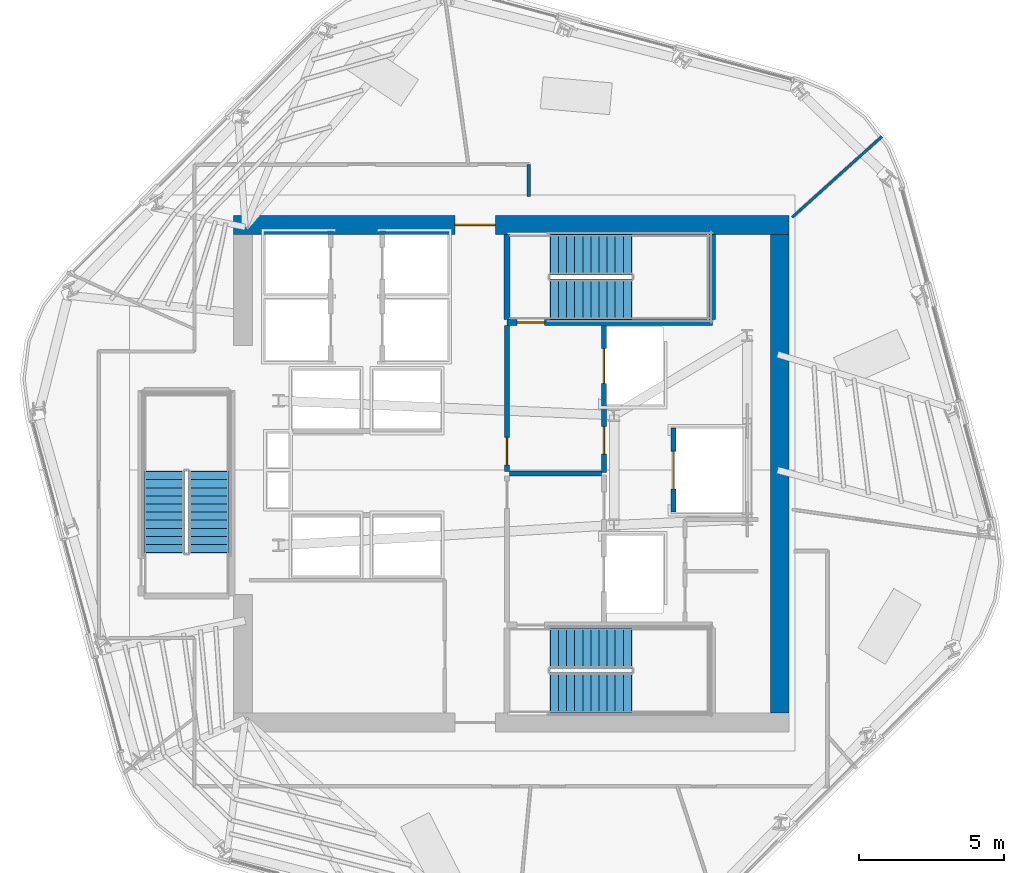
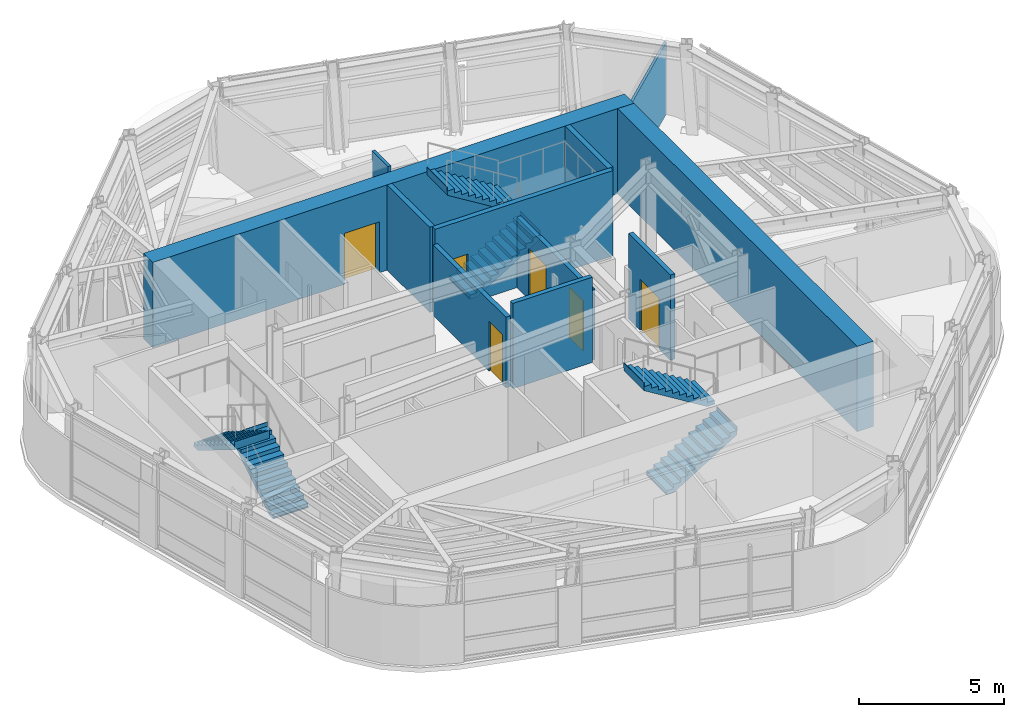
# One storey, part 8 of 13: 11 walls, 6 doors, 6 stair flights, 6 openings, 3 elements without a shape of their own.
"""IFC4 building model written with IfcOpenShell, lengths in metres."""

import ifcopenshell
import ifcopenshell.guid

model = None  # the IFC model being written
_history = None  # IfcOwnerHistory: only IFC2X3 demands one
_inside = {}  # id of a spatial element -> (the spatial element, [elements in it])
_under = {}  # id of a project, library or spatial element -> (it, [spatial elements below it])
_declared = {}  # id of a project -> (the project, [libraries it declares])
_typed = {}  # id of a type object -> (the type object, [elements of that type])
_made_of = {}  # id of a material, layer set ... -> (it, [elements and type objects made of it])


def new_model(schema):
    """Start an empty IFC model of exactly this schema.

    Asked for "IFC4X3", IfcOpenShell would pick the latest addendum, in which some entities
    have other attributes; the version numbers below select the first issue.
    IFC2X3 requires an IfcOwnerHistory on every rooted entity: one is made here for all.
    """
    global model, _history
    if schema == "IFC4X3":
        model = ifcopenshell.file(schema_version=(4, 3, 0, 0))
    else:
        model = ifcopenshell.file(schema=schema)
    _inside.clear()
    _under.clear()
    _declared.clear()
    _typed.clear()
    _made_of.clear()
    _history = None
    if model.schema == "IFC2X3":
        org = make("IfcOrganization", Name="unknown")
        user = make(
            "IfcPersonAndOrganization",
            ThePerson=make("IfcPerson", FamilyName="unknown"),
            TheOrganization=org,
        )
        app = make(
            "IfcApplication",
            ApplicationDeveloper=org,
            Version="unknown",
            ApplicationFullName="unknown",
            ApplicationIdentifier="unknown",
        )
        _history = make(
            "IfcOwnerHistory",
            OwningUser=user,
            OwningApplication=app,
            ChangeAction="ADDED",
            CreationDate=0,
        )
    return model


def make(cls, **values):
    """One entity of the class cls with the attributes given. An attribute that is None is left unset."""
    return model.create_entity(
        cls, **{name: value for name, value in values.items() if value is not None}
    )


def rooted(cls, **values):
    """An entity with a GlobalId (a new one), such as an element, a storey or a relation."""
    return make(cls, GlobalId=ifcopenshell.guid.new(), OwnerHistory=_history, **values)


def si_unit(unit_type, name, prefix=None):
    """IfcSIUnit, for example si_unit("LENGTHUNIT", "METRE", prefix="MILLI")."""
    return make("IfcSIUnit", UnitType=unit_type, Prefix=prefix, Name=name)


def assignment(units):
    """IfcUnitAssignment: the units of a project."""
    return None if units is None else make("IfcUnitAssignment", Units=units)


def point(xyz):
    """IfcCartesianPoint."""
    return None if xyz is None else make("IfcCartesianPoint", Coordinates=xyz)


def direction(xyz):
    """IfcDirection."""
    return None if xyz is None else make("IfcDirection", DirectionRatios=xyz)


def frame(location, z_axis=None, x_axis=None):
    """IfcAxis2Placement3D, a coordinate frame: its origin and axes. An axis left out is left unset."""
    return make(
        "IfcAxis2Placement3D",
        Location=point(location),
        Axis=direction(z_axis),
        RefDirection=direction(x_axis),
    )


def frame_2d(location, x_axis=None):
    """IfcAxis2Placement2D, a coordinate frame in the plane: its origin and x axis."""
    return make(
        "IfcAxis2Placement2D", Location=point(location), RefDirection=direction(x_axis)
    )


def origin():
    """The frame at (0, 0, 0) with its axes left unset."""
    return frame((0.0, 0.0, 0.0))


def place(relative_to, where):
    """IfcLocalPlacement: puts the frame where relative to a parent placement (None: the world)."""
    return make(
        "IfcLocalPlacement", PlacementRelTo=relative_to, RelativePlacement=where
    )


def context(
    kind, dimensions, precision=None, world=None, true_north=None, identifier=None
):
    """IfcGeometricRepresentationContext, for example the 3D "Model" context."""
    return make(
        "IfcGeometricRepresentationContext",
        ContextIdentifier=identifier,
        ContextType=kind,
        CoordinateSpaceDimension=dimensions,
        Precision=precision,
        WorldCoordinateSystem=world,
        TrueNorth=true_north,
    )


def subcontext(parent, identifier, kind, view, scale=None):
    """IfcGeometricRepresentationSubContext, for example "Body" below "Model"."""
    return make(
        "IfcGeometricRepresentationSubContext",
        ContextIdentifier=identifier,
        ContextType=kind,
        ParentContext=parent,
        TargetScale=scale,
        TargetView=view,
    )


def project(units=None, contexts=None):
    """IfcProject with its units and contexts."""
    return rooted(
        "IfcProject",
        Name="project",
        RepresentationContexts=contexts,
        UnitsInContext=assignment(units),
    )


def spatial(cls, under=None, at=None, **own):
    """A site, building, storey or space (cls), placed at a placement, below another one or the project."""
    s = rooted(cls, ObjectPlacement=at, **own)
    if under is not None:
        _under.setdefault(under.id(), (under, []))[1].append(s)
    return s


def polyline(points):
    """IfcPolyline through the points."""
    return make("IfcPolyline", Points=[point(p) for p in points])


def profile(cls, at=None, kind="AREA", **sizes):
    """A parametric profile (cls). Its sizes go by their IFC names, for example OverallWidth=200.0."""
    return make(cls, ProfileType=kind, Position=at, **sizes)


def rectangle(**sizes):
    """IfcRectangleProfileDef."""
    return profile("IfcRectangleProfileDef", **sizes)


def outline(outer, holes=None, kind="AREA"):
    """IfcArbitraryClosedProfileDef: a profile drawn as a closed curve; with holes, ...WithVoids."""
    if holes is None:
        return make("IfcArbitraryClosedProfileDef", ProfileType=kind, OuterCurve=outer)
    return make(
        "IfcArbitraryProfileDefWithVoids",
        ProfileType=kind,
        OuterCurve=outer,
        InnerCurves=holes,
    )


def extrude(swept, where, along, depth):
    """IfcExtrudedAreaSolid: the profile swept, set in the frame where, extruded along a direction by depth."""
    return make(
        "IfcExtrudedAreaSolid",
        SweptArea=swept,
        Position=where,
        ExtrudedDirection=direction(along),
        Depth=depth,
    )


def shape(context_of_items, identifier, shape_type, items):
    """IfcShapeRepresentation: the items that make up one representation, for example the "Body"."""
    return make(
        "IfcShapeRepresentation",
        ContextOfItems=context_of_items,
        RepresentationIdentifier=identifier,
        RepresentationType=shape_type,
        Items=items,
    )


def material(Name=None, Category=None):
    """IfcMaterial."""
    return make("IfcMaterial", Name=Name, Category=Category)


def layer(
    of_material, thickness, ventilated=None, Name=None, Category=None, Priority=None
):
    """IfcMaterialLayer: one layer of a wall or slab, of a material (None: an air gap)."""
    return make(
        "IfcMaterialLayer",
        Material=of_material,
        LayerThickness=thickness,
        IsVentilated=ventilated,
        Name=Name,
        Category=Category,
        Priority=Priority,
    )


def layer_set(layers, Name=None):
    """IfcMaterialLayerSet."""
    return make("IfcMaterialLayerSet", MaterialLayers=layers, LayerSetName=Name)


def made_of(thing, what):
    """Note that an element or type object is made of a material, layer set ...; save() writes the relation."""
    if what is not None:
        _made_of.setdefault(what.id(), (what, []))[1].append(thing)
    return thing


def type_object(cls, material=None, **own):
    """A type object (cls), such as IfcWallType, which elements share."""
    return made_of(rooted(cls, **own), material)


def element(
    cls,
    number,
    at=None,
    inside=None,
    cuts=None,
    type_object=None,
    material=None,
    context=None,
    identifier="Body",
    shape_type=None,
    held_by="IfcProductDefinitionShape",
    body=None,
    shapes=None,
    **own,
):
    """One element of the class cls, such as IfcWall. Its Tag is "e" and its number.

    at: its placement. inside: the storey or other place that contains it. cuts: it is an
    opening in that element (IfcRelVoidsElement). A single representation is given by context,
    identifier, shape_type and body (its items); several are given by shapes. held_by: the class
    of the entity that holds the representations. save() writes the other relations.
    """
    e = rooted(cls, Tag="e%d" % number, ObjectPlacement=at, **own)
    if body is not None:
        shapes = [shape(context, identifier, shape_type, body)]
    if shapes is not None:
        e.Representation = make(held_by, Representations=shapes)
    if inside is not None:
        _inside.setdefault(inside.id(), (inside, []))[1].append(e)
    if cuts is not None:
        rooted(
            "IfcRelVoidsElement", RelatingBuildingElement=cuts, RelatedOpeningElement=e
        )
    if type_object is not None:
        _typed.setdefault(type_object.id(), (type_object, []))[1].append(e)
    return made_of(e, material)


def fill(opening, filler):
    """IfcRelFillsElement: the door or window that sits in an opening."""
    return rooted(
        "IfcRelFillsElement",
        RelatingOpeningElement=opening,
        RelatedBuildingElement=filler,
    )


def aggregate(whole, parts):
    """IfcRelAggregates: a whole, such as a stair, and the parts it consists of."""
    return rooted("IfcRelAggregates", RelatingObject=whole, RelatedObjects=parts)


def save(model, path):
    """Write the relations noted so far, then the file.

    IfcRelAggregates (storeys below a building ...), IfcRelContainedInSpatialStructure (elements
    in a storey), IfcRelDefinesByType, IfcRelAssociatesMaterial and IfcRelDeclares: one each for
    every whole, place, type object, material and project.
    """
    for whole, parts in _under.values():
        aggregate(whole, parts)
    for where, things in _inside.values():
        rooted(
            "IfcRelContainedInSpatialStructure",
            RelatedElements=things,
            RelatingStructure=where,
        )
    for kind, things in _typed.values():
        rooted("IfcRelDefinesByType", RelatedObjects=things, RelatingType=kind)
    for what, things in _made_of.values():
        rooted("IfcRelAssociatesMaterial", RelatedObjects=things, RelatingMaterial=what)
    for by, libraries in _declared.values():
        rooted("IfcRelDeclares", RelatingContext=by, RelatedDefinitions=libraries)
    model.write(path)


model = new_model("IFC4")

# Units and contexts
model_context = context("Model", 3, precision=1e-05, world=origin(), true_north=direction((0.0, 1.0)))
body_context = subcontext(model_context, "Body", "Model", "MODEL_VIEW")
ifc_project = project(units=[si_unit("LENGTHUNIT", "METRE"), si_unit("AREAUNIT", "SQUARE_METRE"), si_unit("VOLUMEUNIT", "CUBIC_METRE"), si_unit("PLANEANGLEUNIT", "RADIAN"), si_unit("MASSUNIT", "GRAM", prefix="KILO")], contexts=[model_context])

# Site, building, storey
site_placement = place(None, origin())
site = spatial("IfcSite", under=ifc_project, at=site_placement, CompositionType="ELEMENT")
building_placement = place(site_placement, origin())
building = spatial("IfcBuilding", under=site, at=building_placement, Name="Valkerne Bourse Tower", CompositionType="ELEMENT")
storey_placement = place(building_placement, frame((0.0, 0.0, 217.0)))
storey = spatial("IfcBuildingStorey", under=building, at=storey_placement, Name="L55", CompositionType="ELEMENT", Elevation=217.0)

# Wall, opening, door
ifc_material_1 = material(Name="Concrete C55/67", Category="concrete")
ifc_layer_1 = layer(ifc_material_1, 0.64990234375)
ifc_layer_set_1 = layer_set([ifc_layer_1], Name="Concrete C55/67")
wall_type_1 = type_object("IfcWallType", Name="W-CORE-650", PredefinedType="SHEAR", material=ifc_layer_set_1)
wall_1_placement = place(storey_placement, frame((37.199951171875, 35.47509765625, 0.0), z_axis=(0.0, 0.0, 1.0), x_axis=(1.0, 0.0, 0.0)))
wall_1 = element("IfcWall", 1, at=wall_1_placement, inside=storey, type_object=wall_type_1, Name="L55 Core Shear Wall NORTH", PredefinedType="SHEAR", context=body_context, shape_type="SweptSolid", body=[
    extrude(rectangle(XDim=19.199951171875, YDim=0.64990234375, at=frame_2d((9.60009765625, 0.0))), origin(), (0.0, 0.0, 1.0), 3.60009765625),
])
opening_1_placement = place(wall_1_placement, frame((7.64990234375, 0.0, 0.0)))
opening_1 = element("IfcOpeningElement", 2, at=opening_1_placement, cuts=wall_1, Name="Opening D-PL-1400", PredefinedType="OPENING", context=body_context, shape_type="SweptSolid", body=[
    extrude(rectangle(XDim=1.39990234375, YDim=2.14990234375, at=frame_2d((0.699951171875, 1.074951171875))), frame((0.0, 0.3349609375, 0.0), z_axis=(0.0, -1.0, 0.0), x_axis=(1.0, 0.0, 0.0)), (0.0, 0.0, 1.0), 0.669921875),
])
ifc_material_2 = material(Name="Galvanised Painted Steel", Category="steel")
door_type_1 = type_object("IfcDoorType", Name="DR-PLT-1400", OperationType="DOUBLE_DOOR_SINGLE_SWING", PredefinedType="DOOR", material=ifc_material_2)
door_1_placement = place(opening_1_placement, origin())
door_1 = element("IfcDoor", 3, at=door_1_placement, inside=storey, type_object=door_type_1, Name="L55 North Passenger Lift Hall Fire Door", OperationType="DOUBLE_DOOR_SINGLE_SWING", OverallHeight=2.14990234375, OverallWidth=1.39990234375, PredefinedType="DOOR", context=body_context, shape_type="SweptSolid", body=[
    extrude(rectangle(XDim=1.39990234375, YDim=2.14990234375, at=frame_2d((0.699951171875, 1.074951171875))), frame((0.0, 0.02490234375, 0.0), z_axis=(0.0, -1.0, 0.0), x_axis=(1.0, 0.0, 0.0)), (0.0, 0.0, 1.0), 0.050048828125),
])
fill(opening_1, door_1)

# Walls
wall_2_placement = place(storey_placement, frame((56.074951171875, 18.60009765625, 0.0), z_axis=(0.0, 0.0, 1.0), x_axis=(0.0, 1.0, 0.0)))
element("IfcWall", 4, at=wall_2_placement, inside=storey, type_object=wall_type_1, Name="L55 Core Shear Wall EAST", PredefinedType="SHEAR", context=body_context, shape_type="SweptSolid", body=[
    extrude(rectangle(XDim=16.5498046875, YDim=0.64990234375, at=frame_2d((8.27490234375, 0.0))), origin(), (0.0, 0.0, 1.0), 3.60009765625),
])
ifc_material_3 = material(Name="Gypsum Board Steel-Stud Partition", Category="steel")
ifc_layer_2 = layer(ifc_material_3, 0.117919921875)
ifc_layer_set_2 = layer_set([ifc_layer_2], Name="Gypsum Board Steel-Stud Partition")
wall_type_2 = type_object("IfcWallType", Name="W-CORR-140", PredefinedType="PARTITIONING", material=ifc_layer_set_2)
wall_3_placement = place(storey_placement, frame((47.39990234375, 37.56005859375, 0.0), z_axis=(0.0, 0.0, 1.0), x_axis=(0.0, -1.0, 0.0)))
element("IfcWall", 5, at=wall_3_placement, inside=storey, type_object=wall_type_2, Name="L55 Corridor Enclosure Wall", PredefinedType="PARTITIONING", context=body_context, shape_type="SweptSolid", body=[
    extrude(rectangle(XDim=1.10009765625, YDim=0.117919921875, at=frame_2d((0.550048828125, 0.0))), origin(), (0.0, 0.0, 1.0), 3.300048828125),
])
ifc_material_4 = material(Name="Gypsum Fire-Rated Shaftwall", Category="gypsum")
ifc_layer_3 = layer(ifc_material_4, 0.179931640625)
ifc_layer_set_3 = layer_set([ifc_layer_3], Name="Gypsum Fire-Rated Shaftwall")
wall_type_3 = type_object("IfcWallType", Name="W-FSAE-180", PredefinedType="PARTITIONING", material=ifc_layer_set_3)
wall_4_placement = place(storey_placement, frame((46.739990234375, 26.8798828125, 0.0), z_axis=(0.0, 0.0, 1.0), x_axis=(1.0, 0.0, 0.0)))
element("IfcWall", 6, at=wall_4_placement, inside=storey, type_object=wall_type_3, Name="L55 FSAE-1/2 Lobby Dividing Fire Wall", PredefinedType="PARTITIONING", context=body_context, shape_type="SweptSolid", body=[
    extrude(rectangle(XDim=3.169921875, YDim=0.179931640625, at=frame_2d((1.5849609375, 0.0))), origin(), (0.0, 0.0, 1.0), 3.60009765625),
])

# Wall, opening, door
wall_5_placement = place(storey_placement, frame((46.64990234375, 26.9599609375, 0.0), z_axis=(0.0, 0.0, 1.0), x_axis=(0.0, 1.0, 0.0)))
wall_5 = element("IfcWall", 7, at=wall_5_placement, inside=storey, type_object=wall_type_3, Name="L55 FSAE-2 Lobby West Fire Wall", PredefinedType="PARTITIONING", context=body_context, shape_type="SweptSolid", body=[
    extrude(rectangle(XDim=5.0400390625, YDim=0.179931640625, at=frame_2d((2.52001953125, 0.0))), origin(), (0.0, 0.0, 1.0), 2.977783203125),
])
opening_2_placement = place(wall_5_placement, frame((0.219970703125, 0.0, 0.0)))
opening_2 = element("IfcOpeningElement", 8, at=opening_2_placement, cuts=wall_5, Name="Opening D-FS-950", PredefinedType="OPENING", context=body_context, shape_type="SweptSolid", body=[
    extrude(rectangle(XDim=0.949951171875, YDim=2.10009765625, at=frame_2d((0.47509765625, 1.050048828125))), frame((0.0, 0.099853515625, 0.0), z_axis=(0.0, -1.0, 0.0), x_axis=(1.0, 0.0, 0.0)), (0.0, 0.0, 1.0), 0.199951171875),
])
door_type_2 = type_object("IfcDoorType", Name="DR-FSAE-950", OperationType="NOTDEFINED", PredefinedType="DOOR", material=ifc_material_2)
door_2_placement = place(opening_2_placement, origin())
door_2 = element("IfcDoor", 9, at=door_2_placement, inside=storey, type_object=door_type_2, Name="L55 FSAE-2 Hall Link Fire Door", OperationType="SINGLE_SWING_RIGHT", OverallHeight=2.10009765625, OverallWidth=0.949951171875, PredefinedType="DOOR", context=body_context, shape_type="SweptSolid", body=[
    extrude(rectangle(XDim=0.949951171875, YDim=2.10009765625, at=frame_2d((0.47509765625, 1.050048828125))), frame((0.0, 0.02490234375, 0.0), z_axis=(0.0, -1.0, 0.0), x_axis=(1.0, 0.0, 0.0)), (0.0, 0.0, 1.0), 0.050048828125),
])
fill(opening_2, door_2)

# Wall, openings, doors
wall_6_placement = place(storey_placement, frame((50.0, 26.919921875, 0.0), z_axis=(0.0, 0.0, 1.0), x_axis=(0.0, 1.0, 0.0)))
wall_6 = element("IfcWall", 10, at=wall_6_placement, inside=storey, type_object=wall_type_3, Name="L55 FSAE-2 Lobby & Shaft Front Wall", PredefinedType="PARTITIONING", context=body_context, shape_type="SweptSolid", body=[
    extrude(rectangle(XDim=5.080078125, YDim=0.179931640625, at=frame_2d((2.5400390625, 0.0))), origin(), (0.0, 0.0, 1.0), 2.977783203125),
])
opening_3_placement = place(wall_6_placement, frame((3.080078125, 0.0, 0.0)))
opening_3 = element("IfcOpeningElement", 11, at=opening_3_placement, cuts=wall_6, Name="Opening LD-1200", PredefinedType="OPENING", context=body_context, shape_type="SweptSolid", body=[
    extrude(rectangle(XDim=1.199951171875, YDim=2.14990234375, at=frame_2d((0.60009765625, 1.074951171875))), frame((0.0, 0.099853515625, 0.0), z_axis=(0.0, -1.0, 0.0), x_axis=(1.0, 0.0, 0.0)), (0.0, 0.0, 1.0), 0.199951171875),
])
opening_4_placement = place(wall_6_placement, frame((0.6298828125, 0.0, 0.0)))
opening_4 = element("IfcOpeningElement", 12, at=opening_4_placement, cuts=wall_6, Name="Opening D-FS-950", PredefinedType="OPENING", context=body_context, shape_type="SweptSolid", body=[
    extrude(rectangle(XDim=0.949951171875, YDim=2.10009765625, at=frame_2d((0.47509765625, 1.050048828125))), frame((0.0, 0.099853515625, 0.0), z_axis=(0.0, -1.0, 0.0), x_axis=(1.0, 0.0, 0.0)), (0.0, 0.0, 1.0), 0.199951171875),
])
door_3_placement = place(opening_4_placement, origin())
door_3 = element("IfcDoor", 13, at=door_3_placement, inside=storey, type_object=door_type_2, Name="L55 FSAE-2 Lobby Corridor Fire Door", OperationType="SINGLE_SWING_RIGHT", OverallHeight=2.10009765625, OverallWidth=0.949951171875, PredefinedType="DOOR", context=body_context, shape_type="SweptSolid", body=[
    extrude(rectangle(XDim=0.949951171875, YDim=2.10009765625, at=frame_2d((0.47509765625, 1.050048828125))), frame((0.0, 0.02490234375, 0.0), z_axis=(0.0, -1.0, 0.0), x_axis=(1.0, 0.0, 0.0)), (0.0, 0.0, 1.0), 0.050048828125),
])
fill(opening_4, door_3)
ifc_material_5 = material(Name="Stainless Steel AISI 316", Category="steel")
door_type_3 = type_object("IfcDoorType", Name="DR-LIFT-1200", OperationType="DOUBLE_DOOR_SLIDING", PredefinedType="DOOR", material=ifc_material_5)
door_4_placement = place(opening_3_placement, origin())
door_4 = element("IfcDoor", 14, at=door_4_placement, inside=storey, type_object=door_type_3, Name="L55 FSAE-2 Firefighting Lift Landing Door", OperationType="DOUBLE_DOOR_SLIDING", OverallHeight=2.14990234375, OverallWidth=1.199951171875, PredefinedType="DOOR", context=body_context, shape_type="SweptSolid", body=[
    extrude(rectangle(XDim=1.199951171875, YDim=2.14990234375, at=frame_2d((0.60009765625, 1.074951171875))), frame((0.0, 0.02490234375, 0.0), z_axis=(0.0, -1.0, 0.0), x_axis=(1.0, 0.0, 0.0)), (0.0, 0.0, 1.0), 0.050048828125),
])
fill(opening_3, door_4)

# Wall, opening, door
ifc_material_6 = material(Name="CMU Blockwork Masonry 200mm", Category="masonry")
ifc_layer_4 = layer(ifc_material_6, 0.179931640625)
ifc_layer_set_4 = layer_set([ifc_layer_4], Name="CMU Blockwork Masonry 200mm")
wall_type_4 = type_object("IfcWallType", Name="W-LFT-180", PredefinedType="SOLIDWALL", material=ifc_layer_set_4)
wall_7_placement = place(storey_placement, frame((52.39990234375, 25.550048828125, 0.0), z_axis=(0.0, 0.0, 1.0), x_axis=(0.0, 1.0, 0.0)))
wall_7 = element("IfcWall", 15, at=wall_7_placement, inside=storey, type_object=wall_type_4, Name="L55 Service Lift SV-1 Front Wall", PredefinedType="SOLIDWALL", context=body_context, shape_type="SweptSolid", body=[
    extrude(rectangle(XDim=2.89990234375, YDim=0.179931640625, at=frame_2d((1.449951171875, 0.0))), origin(), (0.0, 0.0, 1.0), 3.60009765625),
])
opening_5_placement = place(wall_7_placement, frame((0.800048828125, 0.0, 0.0)))
opening_5 = element("IfcOpeningElement", 16, at=opening_5_placement, cuts=wall_7, Name="Opening LD-1300", PredefinedType="OPENING", context=body_context, shape_type="SweptSolid", body=[
    extrude(rectangle(XDim=1.300048828125, YDim=2.14990234375, at=frame_2d((0.64990234375, 1.074951171875))), frame((0.0, 0.099853515625, 0.0), z_axis=(0.0, -1.0, 0.0), x_axis=(1.0, 0.0, 0.0)), (0.0, 0.0, 1.0), 0.199951171875),
])
door_type_4 = type_object("IfcDoorType", Name="DR-LIFT-1300", OperationType="DOUBLE_DOOR_SLIDING", PredefinedType="DOOR", material=ifc_material_5)
door_5_placement = place(opening_5_placement, origin())
door_5 = element("IfcDoor", 17, at=door_5_placement, inside=storey, type_object=door_type_4, Name="L55 Service Lift SV-1 Landing Door", OperationType="DOUBLE_DOOR_SLIDING", OverallHeight=2.14990234375, OverallWidth=1.300048828125, PredefinedType="DOOR", context=body_context, shape_type="SweptSolid", body=[
    extrude(rectangle(XDim=1.300048828125, YDim=2.14990234375, at=frame_2d((0.64990234375, 1.074951171875))), frame((0.0, 0.02490234375, 0.0), z_axis=(0.0, -1.0, 0.0), x_axis=(1.0, 0.0, 0.0)), (0.0, 0.0, 1.0), 0.050048828125),
])
fill(opening_5, door_5)

# Wall
ifc_layer_5 = layer(ifc_material_3, 0.092041015625)
ifc_layer_set_5 = layer_set([ifc_layer_5], Name="Gypsum Board Steel-Stud Partition")
wall_type_5 = type_object("IfcWallType", Name="W-PART-115", PredefinedType="PARTITIONING", material=ifc_layer_set_5)
wall_8_placement = place(storey_placement, frame((56.5, 35.73388671875, 0.0), z_axis=(0.0, 0.0, 1.0), x_axis=(0.743134287942, 0.669142309292, 0.0)))
element("IfcWall", 18, at=wall_8_placement, inside=storey, type_object=wall_type_5, Name="L55 Suite Partition P05", PredefinedType="PARTITIONING", context=body_context, shape_type="SweptSolid", body=[
    extrude(rectangle(XDim=4.17724609375, YDim=0.092041015625, at=frame_2d((2.088623046875, 0.0))), origin(), (0.0, 0.0, 1.0), 3.036376953125),
])

# Wall, opening, door
ifc_material_7 = material(Name="Concrete C40/50", Category="concrete")
ifc_layer_6 = layer(ifc_material_7, 0.199951171875)
ifc_layer_set_6 = layer_set([ifc_layer_6], Name="Concrete C40/50")
wall_type_6 = type_object("IfcWallType", Name="W-SHF-200", PredefinedType="SHEAR", material=ifc_layer_set_6)
wall_9_placement = place(storey_placement, frame((46.64990234375, 32.10009765625, 0.0), z_axis=(0.0, 0.0, 1.0), x_axis=(1.0, 0.0, 0.0)))
wall_9 = element("IfcWall", 19, at=wall_9_placement, inside=storey, type_object=wall_type_6, Name="L55 Exit Stair ST-2 Structural Shaft Wall South", PredefinedType="SHEAR", context=body_context, shape_type="SweptSolid", body=[
    extrude(rectangle(XDim=7.10009765625, YDim=0.199951171875, at=frame_2d((3.550048828125, 0.0))), origin(), (0.0, 0.0, 1.0), 3.60009765625),
])
opening_6_placement = place(wall_9_placement, frame((0.35009765625, 0.0, 0.0)))
opening_6 = element("IfcOpeningElement", 20, at=opening_6_placement, cuts=wall_9, Name="Opening D-ST-950", PredefinedType="OPENING", context=body_context, shape_type="SweptSolid", body=[
    extrude(rectangle(XDim=0.949951171875, YDim=2.10009765625, at=frame_2d((0.47509765625, 1.050048828125))), frame((0.0, 0.10986328125, 0.0), z_axis=(0.0, -1.0, 0.0), x_axis=(1.0, 0.0, 0.0)), (0.0, 0.0, 1.0), 0.219970703125),
])
door_type_5 = type_object("IfcDoorType", Name="DR-STAIR-950", OperationType="NOTDEFINED", PredefinedType="DOOR", material=ifc_material_2)
door_6_placement = place(opening_6_placement, origin())
door_6 = element("IfcDoor", 21, at=door_6_placement, inside=storey, type_object=door_type_5, Name="L55 Exit Stair ST-2 Door", OperationType="SINGLE_SWING_LEFT", OverallHeight=2.10009765625, OverallWidth=0.949951171875, PredefinedType="DOOR", context=body_context, shape_type="SweptSolid", body=[
    extrude(rectangle(XDim=0.949951171875, YDim=2.10009765625, at=frame_2d((0.47509765625, 1.050048828125))), frame((0.0, 0.02490234375, 0.0), z_axis=(0.0, -1.0, 0.0), x_axis=(1.0, 0.0, 0.0)), (0.0, 0.0, 1.0), 0.050048828125),
])
fill(opening_6, door_6)

# Walls
for number, where, z_axis, x_axis, name in (
    (22, (46.64990234375, 32.199951171875, 0.0), (0.0, 0.0, 1.0), (0.0, 1.0, 0.0), "L55 Exit Stair ST-2 Structural Shaft Wall West"),
    (23, (53.75, 32.199951171875, 0.0), (0.0, 0.0, 1.0), (0.0, 1.0, 0.0), "L55 Exit Stair ST-2 Structural Shaft Wall East"),
):
    element("IfcWall", number, at=place(storey_placement, frame(where, z_axis=z_axis, x_axis=x_axis)), inside=storey, type_object=wall_type_6, Name=name, PredefinedType="SHEAR", context=body_context, shape_type="SweptSolid", body=[
        extrude(rectangle(XDim=2.949951171875, YDim=0.199951171875, at=frame_2d((1.47509765625, 0.0))), origin(), (0.0, 0.0, 1.0), 3.60009765625),
    ])

# Stair, stair flights
stair_type = type_object("IfcStairType", Name="ST-CORE-1400", PredefinedType="HALF_TURN_STAIR", material=ifc_material_7)
stair_1_placement = place(storey_placement, origin())
stair_1 = element("IfcStair", 24, at=stair_1_placement, inside=storey, type_object=stair_type, Name="L55 ST-1", PredefinedType="HALF_TURN_STAIR")
stair_flight_type = type_object("IfcStairFlightType", Name="STF-CORE-1400", PredefinedType="STRAIGHT", material=ifc_material_7)
stair_flight_1_placement = place(storey_placement, frame((48.14990234375, 19.300048828125, 0.0), z_axis=(0.0, 0.0, 1.0), x_axis=(1.0, 0.0, 0.0)))
stair_flight_1 = element("IfcStairFlight", 25, at=stair_flight_1_placement, type_object=stair_flight_type, Name="ST-1 flight 1", NumberOfRisers=11, NumberOfTreads=10, PredefinedType="STRAIGHT", RiserHeight=0.172727273, TreadLength=0.28, context=body_context, shape_type="SweptSolid", body=[
    extrude(outline(polyline([(-0.02001953125, 0.0), (-0.02001953125, 0.044921875), (0.0, 0.044921875), (0.0, 0.172607421875), (0.280029296875, 0.172607421875), (0.280029296875, 0.345458984375), (0.56005859375, 0.345458984375), (0.56005859375, 0.51806640625), (0.840087890625, 0.51806640625), (0.840087890625, 0.69091796875), (1.1201171875, 0.69091796875), (1.1201171875, 0.863525390625), (1.39990234375, 0.863525390625), (1.39990234375, 1.036376953125), (1.679931640625, 1.036376953125), (1.679931640625, 1.208984375), (1.9599609375, 1.208984375), (1.9599609375, 1.3818359375), (2.239990234375, 1.3818359375), (2.239990234375, 1.554443359375), (2.52001953125, 1.554443359375), (2.52001953125, 1.727294921875), (2.800048828125, 1.727294921875), (2.800048828125, 1.89990234375), (2.820068359375, 1.89990234375), (2.820068359375, 1.780029296875), (2.800048828125, 1.551025390625), (0.285400390625, 0.0), (-0.02001953125, 0.0)])), frame((0.0, 0.699951171875, 0.0), z_axis=(0.0, -1.0, 0.0), x_axis=(1.0, 0.0, 0.0)), (0.0, 0.0, 1.0), 1.39990234375),
])
stair_flight_2_placement = place(storey_placement, frame((50.949951171875, 20.85009765625, 1.89990234375), z_axis=(0.0, 0.0, 1.0), x_axis=(-1.0, 0.0, 0.0)))
stair_flight_2 = element("IfcStairFlight", 26, at=stair_flight_2_placement, type_object=stair_flight_type, Name="ST-1 flight 2", NumberOfRisers=11, NumberOfTreads=10, PredefinedType="STRAIGHT", RiserHeight=0.172727273, TreadLength=0.28, context=body_context, shape_type="SweptSolid", body=[
    extrude(outline(polyline([(-0.02001953125, 0.0), (-0.02001953125, 0.044921875), (0.0, 0.044921875), (0.0, 0.172607421875), (0.280029296875, 0.172607421875), (0.280029296875, 0.345458984375), (0.56005859375, 0.345458984375), (0.56005859375, 0.51806640625), (0.840087890625, 0.51806640625), (0.840087890625, 0.69091796875), (1.1201171875, 0.69091796875), (1.1201171875, 0.863525390625), (1.39990234375, 0.863525390625), (1.39990234375, 1.036376953125), (1.679931640625, 1.036376953125), (1.679931640625, 1.208984375), (1.9599609375, 1.208984375), (1.9599609375, 1.3818359375), (2.239990234375, 1.3818359375), (2.239990234375, 1.554443359375), (2.52001953125, 1.554443359375), (2.52001953125, 1.727294921875), (2.800048828125, 1.727294921875), (2.800048828125, 1.89990234375), (2.820068359375, 1.89990234375), (2.820068359375, 1.780029296875), (2.800048828125, 1.551025390625), (0.285400390625, 0.0), (-0.02001953125, 0.0)])), frame((0.0, 0.699951171875, 0.0), z_axis=(0.0, -1.0, 0.0), x_axis=(1.0, 0.0, 0.0)), (0.0, 0.0, 1.0), 1.39990234375),
])
aggregate(stair_1, [stair_flight_1, stair_flight_2])

stair_2_placement = place(storey_placement, origin())
stair_2 = element("IfcStair", 27, at=stair_2_placement, inside=storey, type_object=stair_type, Name="L55 ST-2", PredefinedType="HALF_TURN_STAIR")
stair_flight_3_placement = place(storey_placement, frame((48.14990234375, 32.89990234375, 0.0), z_axis=(0.0, 0.0, 1.0), x_axis=(1.0, 0.0, 0.0)))
stair_flight_3 = element("IfcStairFlight", 28, at=stair_flight_3_placement, type_object=stair_flight_type, Name="ST-2 flight 1", NumberOfRisers=11, NumberOfTreads=10, PredefinedType="STRAIGHT", RiserHeight=0.172727273, TreadLength=0.28, context=body_context, shape_type="SweptSolid", body=[
    extrude(outline(polyline([(-0.02001953125, 0.0), (-0.02001953125, 0.044921875), (0.0, 0.044921875), (0.0, 0.172607421875), (0.280029296875, 0.172607421875), (0.280029296875, 0.345458984375), (0.56005859375, 0.345458984375), (0.56005859375, 0.51806640625), (0.840087890625, 0.51806640625), (0.840087890625, 0.69091796875), (1.1201171875, 0.69091796875), (1.1201171875, 0.863525390625), (1.39990234375, 0.863525390625), (1.39990234375, 1.036376953125), (1.679931640625, 1.036376953125), (1.679931640625, 1.208984375), (1.9599609375, 1.208984375), (1.9599609375, 1.3818359375), (2.239990234375, 1.3818359375), (2.239990234375, 1.554443359375), (2.52001953125, 1.554443359375), (2.52001953125, 1.727294921875), (2.800048828125, 1.727294921875), (2.800048828125, 1.89990234375), (2.820068359375, 1.89990234375), (2.820068359375, 1.780029296875), (2.800048828125, 1.551025390625), (0.285400390625, 0.0), (-0.02001953125, 0.0)])), frame((0.0, 0.699951171875, 0.0), z_axis=(0.0, -1.0, 0.0), x_axis=(1.0, 0.0, 0.0)), (0.0, 0.0, 1.0), 1.39990234375),
])
stair_flight_4_placement = place(storey_placement, frame((50.949951171875, 34.449951171875, 1.89990234375), z_axis=(0.0, 0.0, 1.0), x_axis=(-1.0, 0.0, 0.0)))
stair_flight_4 = element("IfcStairFlight", 29, at=stair_flight_4_placement, type_object=stair_flight_type, Name="ST-2 flight 2", NumberOfRisers=11, NumberOfTreads=10, PredefinedType="STRAIGHT", RiserHeight=0.172727273, TreadLength=0.28, context=body_context, shape_type="SweptSolid", body=[
    extrude(outline(polyline([(-0.02001953125, 0.0), (-0.02001953125, 0.044921875), (0.0, 0.044921875), (0.0, 0.172607421875), (0.280029296875, 0.172607421875), (0.280029296875, 0.345458984375), (0.56005859375, 0.345458984375), (0.56005859375, 0.51806640625), (0.840087890625, 0.51806640625), (0.840087890625, 0.69091796875), (1.1201171875, 0.69091796875), (1.1201171875, 0.863525390625), (1.39990234375, 0.863525390625), (1.39990234375, 1.036376953125), (1.679931640625, 1.036376953125), (1.679931640625, 1.208984375), (1.9599609375, 1.208984375), (1.9599609375, 1.3818359375), (2.239990234375, 1.3818359375), (2.239990234375, 1.554443359375), (2.52001953125, 1.554443359375), (2.52001953125, 1.727294921875), (2.800048828125, 1.727294921875), (2.800048828125, 1.89990234375), (2.820068359375, 1.89990234375), (2.820068359375, 1.780029296875), (2.800048828125, 1.551025390625), (0.285400390625, 0.0), (-0.02001953125, 0.0)])), frame((0.0, 0.699951171875, 0.0), z_axis=(0.0, -1.0, 0.0), x_axis=(1.0, 0.0, 0.0)), (0.0, 0.0, 1.0), 1.39990234375),
])
aggregate(stair_2, [stair_flight_3, stair_flight_4])

stair_3_placement = place(storey_placement, origin())
stair_3 = element("IfcStair", 30, at=stair_3_placement, inside=storey, type_object=stair_type, Name="L55 ST-3", PredefinedType="HALF_TURN_STAIR")
stair_flight_5_placement = place(storey_placement, frame((36.35009765625, 24.14990234375, 0.0), z_axis=(0.0, 0.0, 1.0), x_axis=(0.0, 1.0, 0.0)))
stair_flight_5 = element("IfcStairFlight", 31, at=stair_flight_5_placement, type_object=stair_flight_type, Name="ST-3 flight 1", NumberOfRisers=11, NumberOfTreads=10, PredefinedType="STRAIGHT", RiserHeight=0.172727273, TreadLength=0.28, context=body_context, shape_type="SweptSolid", body=[
    extrude(outline(polyline([(-0.02001953125, 0.0), (-0.02001953125, 0.044921875), (0.0, 0.044921875), (0.0, 0.172607421875), (0.280029296875, 0.172607421875), (0.280029296875, 0.345458984375), (0.56005859375, 0.345458984375), (0.56005859375, 0.51806640625), (0.840087890625, 0.51806640625), (0.840087890625, 0.69091796875), (1.1201171875, 0.69091796875), (1.1201171875, 0.863525390625), (1.39990234375, 0.863525390625), (1.39990234375, 1.036376953125), (1.679931640625, 1.036376953125), (1.679931640625, 1.208984375), (1.9599609375, 1.208984375), (1.9599609375, 1.3818359375), (2.239990234375, 1.3818359375), (2.239990234375, 1.554443359375), (2.52001953125, 1.554443359375), (2.52001953125, 1.727294921875), (2.800048828125, 1.727294921875), (2.800048828125, 1.89990234375), (2.820068359375, 1.89990234375), (2.820068359375, 1.780029296875), (2.800048828125, 1.551025390625), (0.285400390625, 0.0), (-0.02001953125, 0.0)])), frame((0.0, 0.699951171875, 0.0), z_axis=(0.0, -1.0, 0.0), x_axis=(1.0, 0.0, 0.0)), (0.0, 0.0, 1.0), 1.39990234375),
])
stair_flight_6_placement = place(storey_placement, frame((34.800048828125, 26.949951171875, 1.89990234375), z_axis=(0.0, 0.0, 1.0), x_axis=(0.0, -1.0, 0.0)))
stair_flight_6 = element("IfcStairFlight", 32, at=stair_flight_6_placement, type_object=stair_flight_type, Name="ST-3 flight 2", NumberOfRisers=11, NumberOfTreads=10, PredefinedType="STRAIGHT", RiserHeight=0.172727273, TreadLength=0.28, context=body_context, shape_type="SweptSolid", body=[
    extrude(outline(polyline([(-0.02001953125, 0.0), (-0.02001953125, 0.044921875), (0.0, 0.044921875), (0.0, 0.172607421875), (0.280029296875, 0.172607421875), (0.280029296875, 0.345458984375), (0.56005859375, 0.345458984375), (0.56005859375, 0.51806640625), (0.840087890625, 0.51806640625), (0.840087890625, 0.69091796875), (1.1201171875, 0.69091796875), (1.1201171875, 0.863525390625), (1.39990234375, 0.863525390625), (1.39990234375, 1.036376953125), (1.679931640625, 1.036376953125), (1.679931640625, 1.208984375), (1.9599609375, 1.208984375), (1.9599609375, 1.3818359375), (2.239990234375, 1.3818359375), (2.239990234375, 1.554443359375), (2.52001953125, 1.554443359375), (2.52001953125, 1.727294921875), (2.800048828125, 1.727294921875), (2.800048828125, 1.89990234375), (2.820068359375, 1.89990234375), (2.820068359375, 1.780029296875), (2.800048828125, 1.551025390625), (0.285400390625, 0.0), (-0.02001953125, 0.0)])), frame((0.0, 0.699951171875, 0.0), z_axis=(0.0, -1.0, 0.0), x_axis=(1.0, 0.0, 0.0)), (0.0, 0.0, 1.0), 1.39990234375),
])
aggregate(stair_3, [stair_flight_5, stair_flight_6])

save(model, "model.ifc")
